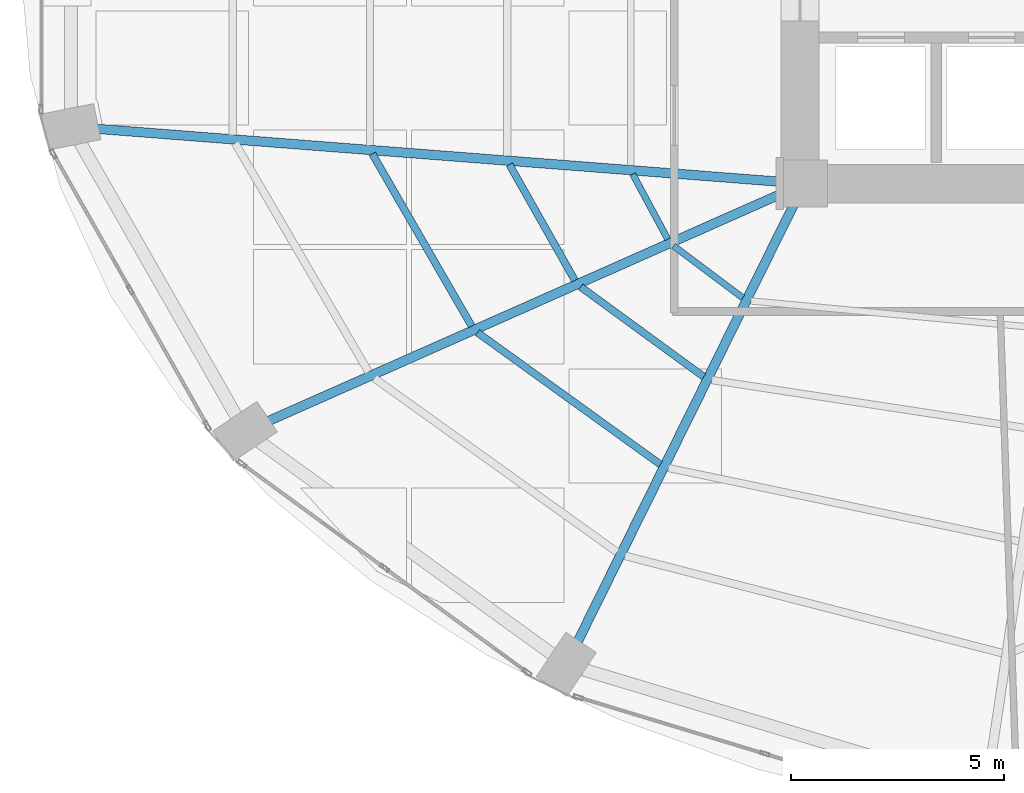
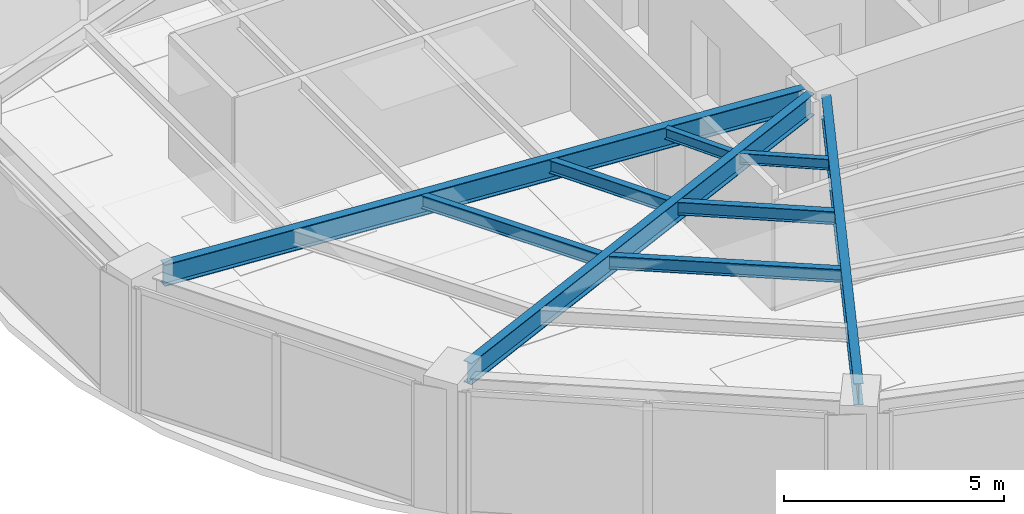
# One storey, part 4 of 25: 9 beams.
"""IFC4 building model written with IfcOpenShell, lengths in metres."""

from ifc_helpers import new_model, si_unit, direction, frame, origin, origin_2d, place, context, subcontext, project, spatial, i_section, extrude, material, material_profile, profile_set, type_object, element, save


model = new_model("IFC4")

# Units and contexts
model_context = context("Model", 3, precision=1e-05, world=origin(), true_north=direction((0.0, 1.0)))
body_context = subcontext(model_context, "Body", "Model", "MODEL_VIEW")
ifc_project = project(units=[si_unit("LENGTHUNIT", "METRE"), si_unit("AREAUNIT", "SQUARE_METRE"), si_unit("VOLUMEUNIT", "CUBIC_METRE"), si_unit("PLANEANGLEUNIT", "RADIAN"), si_unit("MASSUNIT", "GRAM", prefix="KILO")], contexts=[model_context])

# Site, building, storey
site_placement = place(None, origin())
site = spatial("IfcSite", under=ifc_project, at=site_placement, CompositionType="ELEMENT")
building_placement = place(site_placement, origin())
building = spatial("IfcBuilding", under=site, at=building_placement, Name="Lazwardi Medical Tower", CompositionType="ELEMENT")
storey_placement = place(building_placement, frame((0.0, 0.0, 50.736083984375)))
storey = spatial("IfcBuildingStorey", under=building, at=storey_placement, Name="L12", CompositionType="ELEMENT", Elevation=50.736083984375)

# Beams
ifc_material = material(Name="Steel S355", Category="steel")
ifc_material_profile_1 = material_profile(ifc_material, i_section(OverallWidth=0.219970703125, OverallDepth=0.60009765625, WebThickness=0.011962890625, FlangeThickness=0.01904296875, at=origin_2d()), Name="IPE 600")
ifc_profile_set_1 = profile_set([ifc_material_profile_1], Name="Steel S355")
beam_type_1 = type_object("IfcBeamType", Name="BM-RG-W1", PredefinedType="BEAM", material=ifc_profile_set_1)
beam_1_placement = place(storey_placement, frame((9.7783203125, 21.6875, 3.1279296875), z_axis=(0.997013942066, -0.077221754231, 0.0), x_axis=(0.077221754231, 0.997013942066, 0.0)))
element("IfcBeam", 1, at=beam_1_placement, inside=storey, type_object=beam_type_1, Name="Radial girder RG-02 R13 L12", PredefinedType="BEAM", context=body_context, shape_type="SweptSolid", body=[
    extrude(i_section(OverallWidth=0.219970703125, OverallDepth=0.60009765625, WebThickness=0.011962890625, FlangeThickness=0.01904296875, at=origin_2d()), origin(), (0.0, 0.0, 1.0), 16.136474609375),
])
beam_2_placement = place(storey_placement, frame((13.810302734375, 14.82080078125, 3.1279296875), z_axis=(0.914252189566, 0.405145571214, 0.0), x_axis=(-0.405145571214, 0.914252189566, 0.0)))
element("IfcBeam", 2, at=beam_2_placement, inside=storey, type_object=beam_type_1, Name="Radial girder RG-02 R14 L12", PredefinedType="BEAM", context=body_context, shape_type="SweptSolid", body=[
    extrude(i_section(OverallWidth=0.219970703125, OverallDepth=0.60009765625, WebThickness=0.011962890625, FlangeThickness=0.01904296875, at=origin_2d()), origin(), (0.0, 0.0, 1.0), 13.235595703125),
])
beam_3_placement = place(storey_placement, frame((21.076171875, 9.635986328125, 3.1279296875), z_axis=(0.443336723706, 0.896355146922, 0.0), x_axis=(-0.896355146922, 0.443336723706, 0.0)))
element("IfcBeam", 3, at=beam_3_placement, inside=storey, type_object=beam_type_1, Name="Radial girder RG-02 R15 L12", PredefinedType="BEAM", context=body_context, shape_type="SweptSolid", body=[
    extrude(i_section(OverallWidth=0.219970703125, OverallDepth=0.60009765625, WebThickness=0.011962890625, FlangeThickness=0.01904296875, at=origin_2d()), origin(), (0.0, 0.0, 1.0), 11.4736328125),
])
ifc_material_profile_2 = material_profile(ifc_material, i_section(OverallWidth=0.169921875, OverallDepth=0.360107421875, WebThickness=0.008056640625, FlangeThickness=0.0126953125, at=origin_2d()), Name="IPE 360")
ifc_profile_set_2 = profile_set([ifc_material_profile_2], Name="Steel S355")
beam_type_2 = type_object("IfcBeamType", Name="BM-SJ-02", PredefinedType="JOIST", material=ifc_profile_set_2)
beam_4_placement = place(storey_placement, frame((16.26611328125, 21.09814453125, 3.247802734375), z_axis=(0.499785866494, -0.866148998529, 0.0), x_axis=(0.866148998529, 0.499785866494, 0.0)))
element("IfcBeam", 4, at=beam_4_placement, inside=storey, type_object=beam_type_2, Name="Secondary joist SJ-02 R2 B13 L12", PredefinedType="JOIST", context=body_context, shape_type="SweptSolid", body=[
    extrude(i_section(OverallWidth=0.169921875, OverallDepth=0.360107421875, WebThickness=0.008056640625, FlangeThickness=0.0126953125, at=origin_2d()), origin(), (0.0, 0.0, 1.0), 4.666015625),
])
beam_5_placement = place(storey_placement, frame((18.73583984375, 16.904296875, 3.247802734375), z_axis=(0.811142764961, -0.584848198127, 0.0), x_axis=(0.584848198127, 0.811142764961, 0.0)))
element("IfcBeam", 5, at=beam_5_placement, inside=storey, type_object=beam_type_2, Name="Secondary joist SJ-02 R2 B14 L12", PredefinedType="JOIST", context=body_context, shape_type="SweptSolid", body=[
    extrude(i_section(OverallWidth=0.169921875, OverallDepth=0.360107421875, WebThickness=0.008056640625, FlangeThickness=0.0126953125, at=origin_2d()), origin(), (0.0, 0.0, 1.0), 5.28857421875),
])
beam_6_placement = place(storey_placement, frame((19.48291015625, 20.848388671875, 3.247802734375), z_axis=(0.491923287977, -0.870638546554, 0.0), x_axis=(0.870638546554, 0.491923287977, 0.0)))
element("IfcBeam", 6, at=beam_6_placement, inside=storey, type_object=beam_type_2, Name="Secondary joist SJ-02 R3 B13 L12", PredefinedType="JOIST", context=body_context, shape_type="SweptSolid", body=[
    extrude(i_section(OverallWidth=0.169921875, OverallDepth=0.360107421875, WebThickness=0.008056640625, FlangeThickness=0.0126953125, at=origin_2d()), origin(), (0.0, 0.0, 1.0), 3.122802734375),
])
beam_7_placement = place(storey_placement, frame((21.155517578125, 17.976318359375, 3.247802734375), z_axis=(0.80770129933, -0.589591902132, 0.0), x_axis=(0.589591902132, 0.80770129933, 0.0)))
element("IfcBeam", 7, at=beam_7_placement, inside=storey, type_object=beam_type_2, Name="Secondary joist SJ-02 R3 B14 L12", PredefinedType="JOIST", context=body_context, shape_type="SweptSolid", body=[
    extrude(i_section(OverallWidth=0.169921875, OverallDepth=0.360107421875, WebThickness=0.008056640625, FlangeThickness=0.0126953125, at=origin_2d()), origin(), (0.0, 0.0, 1.0), 3.5751953125),
])
ifc_material_profile_3 = material_profile(ifc_material, i_section(OverallWidth=0.14990234375, OverallDepth=0.300048828125, WebThickness=0.007080078125, FlangeThickness=0.0107421875, at=origin_2d()), Name="IPE 300")
ifc_profile_set_3 = profile_set([ifc_material_profile_3], Name="Steel S355")
beam_type_3 = type_object("IfcBeamType", Name="BM-SJ-03", PredefinedType="JOIST", material=ifc_profile_set_3)
beam_8_placement = place(storey_placement, frame((22.376953125, 20.623046875, 3.27783203125), z_axis=(0.473982292828, -0.880534375301, 0.0), x_axis=(0.880534375301, 0.473982292828, 0.0)))
element("IfcBeam", 8, at=beam_8_placement, inside=storey, type_object=beam_type_3, Name="Secondary joist SJ-03 R4 B13 L12", PredefinedType="JOIST", context=body_context, shape_type="SweptSolid", body=[
    extrude(i_section(OverallWidth=0.14990234375, OverallDepth=0.300048828125, WebThickness=0.007080078125, FlangeThickness=0.0107421875, at=origin_2d()), origin(), (0.0, 0.0, 1.0), 1.734375),
])
beam_9_placement = place(storey_placement, frame((23.332763671875, 18.9404296875, 3.27783203125), z_axis=(0.800115247939, -0.599846305328, 0.0), x_axis=(0.599846305328, 0.800115247939, 0.0)))
element("IfcBeam", 9, at=beam_9_placement, inside=storey, type_object=beam_type_3, Name="Secondary joist SJ-03 R4 B14 L12", PredefinedType="JOIST", context=body_context, shape_type="SweptSolid", body=[
    extrude(i_section(OverallWidth=0.14990234375, OverallDepth=0.300048828125, WebThickness=0.007080078125, FlangeThickness=0.0107421875, at=origin_2d()), origin(), (0.0, 0.0, 1.0), 2.033447265625),
])

save(model, "model.ifc")
